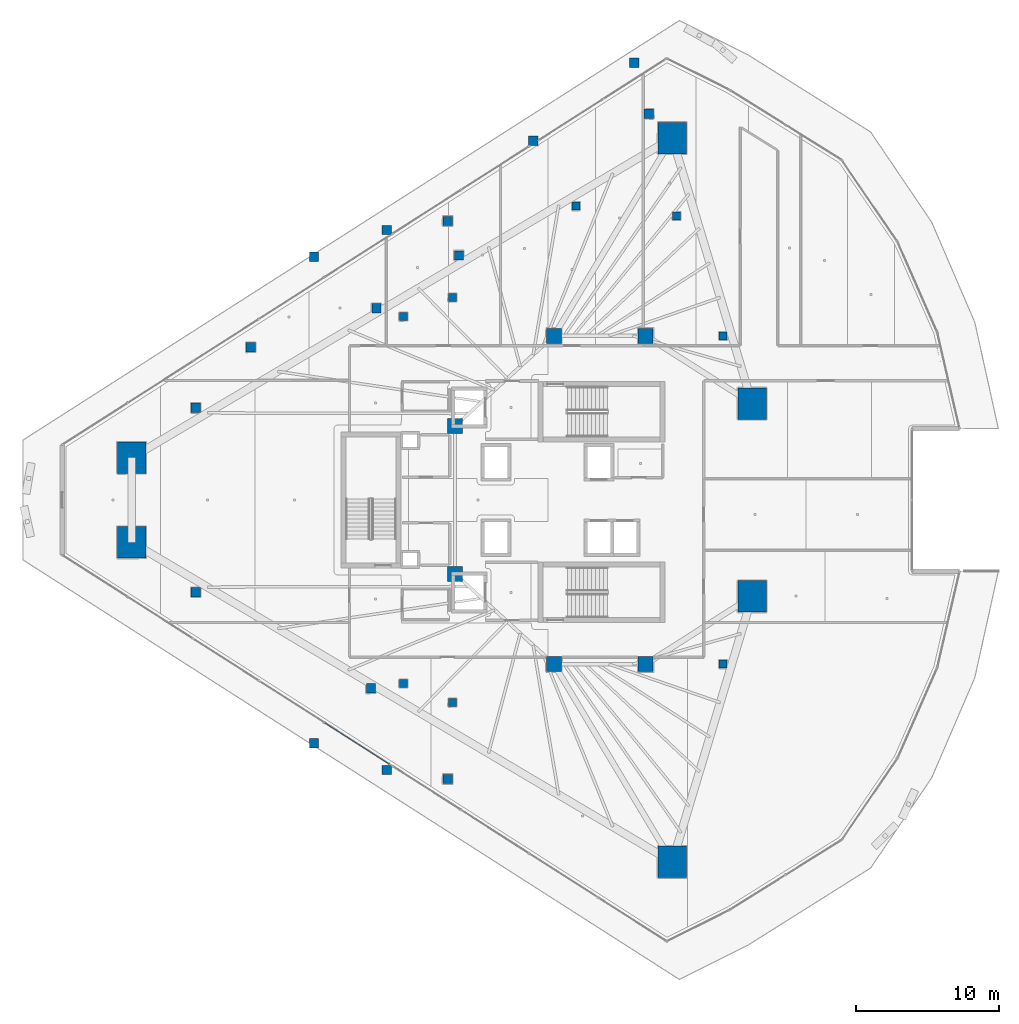
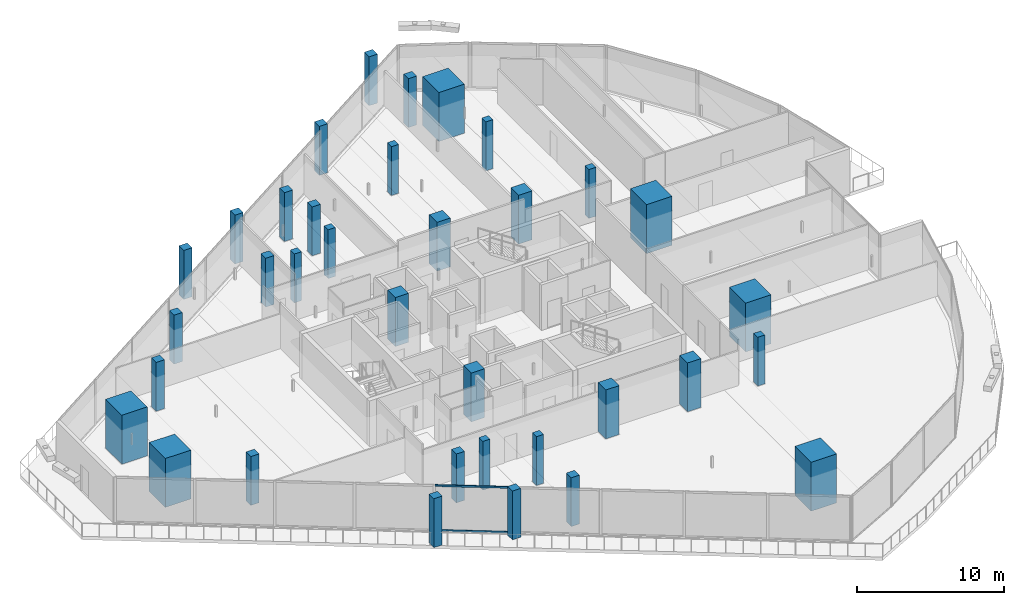
# One storey, part 1 of 42: 35 columns, 2 members, 1 element without a shape of its own.
"""IFC4 building model written with IfcOpenShell, lengths in metres."""

from ifc_helpers import new_model, si_unit, direction, frame, origin, origin_2d, place, context, subcontext, project, spatial, rectangle, hollow_rectangle, extrude, material, layer, layer_set, material_profile, profile_set, type_object, element, aggregate, save


model = new_model("IFC4")

# Units and contexts
model_context = context("Model", 3, precision=1e-05, world=origin(), true_north=direction((0.0, 1.0)))
body_context = subcontext(model_context, "Body", "Model", "MODEL_VIEW")
ifc_project = project(units=[si_unit("LENGTHUNIT", "METRE"), si_unit("AREAUNIT", "SQUARE_METRE"), si_unit("VOLUMEUNIT", "CUBIC_METRE"), si_unit("PLANEANGLEUNIT", "RADIAN"), si_unit("MASSUNIT", "GRAM", prefix="KILO")], contexts=[model_context])

# Site, building, storey
site_placement = place(None, origin())
site = spatial("IfcSite", under=ifc_project, at=site_placement, CompositionType="ELEMENT")
building_placement = place(site_placement, origin())
building = spatial("IfcBuilding", under=site, at=building_placement, Name="Qorvath Tower", CompositionType="ELEMENT")
storey_placement = place(building_placement, frame((0.0, 0.0, 121.949951171875)))
storey = spatial("IfcBuildingStorey", under=building, at=storey_placement, Name="L27", CompositionType="ELEMENT", Elevation=121.949951171875)

# Columns
ifc_material_1 = material(Name="Concrete C70/85", Category="concrete")
ifc_material_profile_1 = material_profile(ifc_material_1, rectangle(XDim=2.0, YDim=2.199951171875, at=origin_2d()), Name="MC 2200x2000")
ifc_profile_set_1 = profile_set([ifc_material_profile_1], Name="Concrete C70/85")
column_type_1 = type_object("IfcColumnType", Name="COL-MC2", PredefinedType="COLUMN", material=ifc_profile_set_1)
for number, where, z_axis, x_axis, name in (
    (1, (-53.04931640625, 2.95068359375, 0.0), (0.0, 0.0, 1.0), (1.0, 0.0, 0.0), "Composite Mega-Column MC1 L27"),
    (2, (-53.04931640625, -2.95068359375, 0.0), (0.0, 0.0, 1.0), (1.0, 0.0, 0.0), "Composite Mega-Column MC2 L27"),
    (3, (-15.34423828125, -25.24609375, 0.0), (0.0, 0.0, 1.0), (1.0, 0.0, 0.0), "Composite Mega-Column MC3 L27"),
    (4, (-9.770263671875, -6.721435546875, 0.0), (0.0, 0.0, 1.0), (1.0, 0.0, 0.0), "Composite Mega-Column MC4 L27"),
    (5, (-9.770263671875, 6.721435546875, 0.0), (0.0, 0.0, 1.0), (1.0, 0.0, 0.0), "Composite Mega-Column MC5 L27"),
    (6, (-15.34423828125, 25.24609375, 0.0), (0.0, 0.0, 1.0), (1.0, 0.0, 0.0), "Composite Mega-Column MC6 L27"),
):
    element("IfcColumn", number, at=place(storey_placement, frame(where, z_axis=z_axis, x_axis=x_axis)), inside=storey, type_object=column_type_1, Name=name, PredefinedType="COLUMN", context=body_context, shape_type="SweptSolid", body=[
        extrude(rectangle(XDim=2.0, YDim=2.199951171875, at=origin_2d()), origin(), (0.0, 0.0, 1.0), 4.050048828125),
    ])
ifc_material_2 = material(Name="Concrete C60/75", Category="concrete")
ifc_material_profile_2 = material_profile(ifc_material_2, rectangle(XDim=1.050048828125, YDim=1.050048828125, at=origin_2d()), Name="RC 1050x1050")
ifc_profile_set_2 = profile_set([ifc_material_profile_2], Name="Concrete C60/75")
column_type_2 = type_object("IfcColumnType", Name="COL-RC2", PredefinedType="COLUMN", material=ifc_profile_set_2)
for number, where, z_axis, x_axis, name in (
    (7, (-23.60009765625, 11.449951171875, 0.0), (0.0, 0.0, 1.0), (1.0, 0.0, 0.0), "Core Spine Column CC1 L27"),
    (8, (-17.199951171875, 11.449951171875, 0.0), (0.0, 0.0, 1.0), (1.0, 0.0, 0.0), "Core Spine Column CC2 L27"),
    (9, (-17.199951171875, -11.449951171875, 0.0), (0.0, 0.0, 1.0), (1.0, 0.0, 0.0), "Core Spine Column CC3 L27"),
    (10, (-23.60009765625, -11.449951171875, 0.0), (0.0, 0.0, 1.0), (1.0, 0.0, 0.0), "Core Spine Column CC4 L27"),
    (11, (-30.5, 5.14990234375, 0.0), (0.0, 0.0, 1.0), (1.0, 0.0, 0.0), "Core Spine Column CC5 L27"),
    (12, (-30.5, -5.14990234375, 0.0), (0.0, 0.0, 1.0), (1.0, 0.0, 0.0), "Core Spine Column CC6 L27"),
):
    element("IfcColumn", number, at=place(storey_placement, frame(where, z_axis=z_axis, x_axis=x_axis)), inside=storey, type_object=column_type_2, Name=name, PredefinedType="COLUMN", context=body_context, shape_type="SweptSolid", body=[
        extrude(rectangle(XDim=1.050048828125, YDim=1.050048828125, at=origin_2d()), origin(), (0.0, 0.0, 1.0), 4.050048828125),
    ])
ifc_material_3 = material(Name="Concrete C45/55", Category="concrete")
ifc_material_profile_3 = material_profile(ifc_material_3, rectangle(XDim=0.64990234375, YDim=0.64990234375, at=origin_2d()), Name="RC 650x650")
ifc_profile_set_3 = profile_set([ifc_material_profile_3], Name="Concrete C45/55")
column_type_3 = type_object("IfcColumnType", Name="COL-RC6", PredefinedType="COLUMN", material=ifc_profile_set_3)
for number, where, z_axis, x_axis, name in (
    (13, (-40.33251953125, 16.955810546875, 0.0), (0.0, 0.0, 1.0), (1.0, 0.0, 0.0), "Loggia Frame Pier Column LGB1 L27"),
    (14, (-40.33251953125, -16.955810546875, 0.0), (0.0, 0.0, 1.0), (1.0, 0.0, 0.0), "Loggia Frame Pier Column LGB2 L27"),
    (15, (-18.0, 30.5, 0.0), (0.0, 0.0, 1.0), (1.0, 0.0, 0.0), "Loggia Frame Pier Column LGB3 L27"),
    (16, (-35.251708984375, 18.829345703125, 0.0), (0.0, 0.0, 1.0), (1.0, 0.0, 0.0), "Loggia Frame Pier Column LGC1 L27"),
    (17, (-35.251708984375, -18.829345703125, 0.0), (0.0, 0.0, 1.0), (1.0, 0.0, 0.0), "Loggia Frame Pier Column LGC2 L27"),
    (18, (-25.03759765625, 25.058837890625, 0.0), (0.0, 0.0, 1.0), (1.0, 0.0, 0.0), "Loggia Frame Pier Column LGC3 L27"),
    (19, (-31.01611328125, 19.46044921875, 0.0), (0.0, 0.0, 1.0), (1.0, 0.0, 0.0), "Loggia Frame Pier Column LGD1 L27"),
    (20, (-31.01611328125, -19.46044921875, 0.0), (0.0, 0.0, 1.0), (1.0, 0.0, 0.0), "Loggia Frame Pier Column LGD2 L27"),
    (21, (-44.736328125, 10.65234375, 0.0), (0.0, 0.0, 1.0), (1.0, 0.0, 0.0), "Loggia Frame Pier Column LGD3 L27"),
    (22, (-48.578369140625, 6.424560546875, 0.0), (0.0, 0.0, 1.0), (1.0, 0.0, 0.0), "Loggia Frame Pier Column LGE1 L27"),
    (23, (-48.578369140625, -6.424560546875, 0.0), (0.0, 0.0, 1.0), (1.0, 0.0, 0.0), "Loggia Frame Pier Column LGE2 L27"),
    (24, (-16.981201171875, 26.92919921875, 0.0), (0.0, 0.0, 1.0), (1.0, 0.0, 0.0), "Loggia Frame Pier Column LGE3 L27"),
    (25, (-35.980712890625, 13.380859375, 0.0), (0.0, 0.0, 1.0), (1.0, 0.0, 0.0), "Loggia Frame Pier Column LGF1 L27"),
    (26, (-36.36474609375, -13.135498046875, 0.0), (0.0, 0.0, 1.0), (1.0, 0.0, 0.0), "Loggia Frame Pier Column LGF2 L27"),
    (27, (-30.224853515625, 17.0595703125, 0.0), (0.0, 0.0, 1.0), (1.0, 0.0, 0.0), "Loggia Frame Pier Column LGF3 L27"),
):
    element("IfcColumn", number, at=place(storey_placement, frame(where, z_axis=z_axis, x_axis=x_axis)), inside=storey, type_object=column_type_3, Name=name, PredefinedType="COLUMN", context=body_context, shape_type="SweptSolid", body=[
        extrude(rectangle(XDim=0.64990234375, YDim=0.64990234375, at=origin_2d()), origin(), (0.0, 0.0, 1.0), 4.050048828125),
    ])
ifc_material_4 = material(Name="Concrete C45/55", Category="concrete")
ifc_material_profile_4 = material_profile(ifc_material_4, rectangle(XDim=0.550048828125, YDim=0.550048828125, at=origin_2d()), Name="RC 550x550")
ifc_profile_set_4 = profile_set([ifc_material_profile_4], Name="Concrete C45/55")
column_type_4 = type_object("IfcColumnType", Name="COL-RC7", PredefinedType="COLUMN", material=ifc_profile_set_4)
for number, where, z_axis, x_axis, name in (
    (28, (-34.104248046875, 12.79248046875, 0.0), (0.0, 0.0, 1.0), (1.0, 0.0, 0.0), "Loggia Frame Pier Column LGG1 L27"),
    (29, (-34.104248046875, -12.79248046875, 0.0), (0.0, 0.0, 1.0), (1.0, 0.0, 0.0), "Loggia Frame Pier Column LGG2 L27"),
    (30, (-22.05322265625, 20.494873046875, 0.0), (0.0, 0.0, 1.0), (1.0, 0.0, 0.0), "Loggia Frame Pier Column LGG3 L27"),
    (31, (-30.67724609375, 14.124267578125, 0.0), (0.0, 0.0, 1.0), (1.0, 0.0, 0.0), "Loggia Frame Pier Column LGH1 L27"),
    (32, (-30.67724609375, -14.124267578125, 0.0), (0.0, 0.0, 1.0), (1.0, 0.0, 0.0), "Loggia Frame Pier Column LGH2 L27"),
    (33, (-15.046142578125, 19.818115234375, 0.0), (0.0, 0.0, 1.0), (1.0, 0.0, 0.0), "Loggia Frame Pier Column LGH3 L27"),
    (34, (-11.800048828125, -11.449951171875, 0.0), (0.0, 0.0, 1.0), (1.0, 0.0, 0.0), "Central Slot Jamb Column SC1 L27"),
    (35, (-11.800048828125, 11.449951171875, 0.0), (0.0, 0.0, 1.0), (1.0, 0.0, 0.0), "Central Slot Jamb Column SC2 L27"),
):
    element("IfcColumn", number, at=place(storey_placement, frame(where, z_axis=z_axis, x_axis=x_axis)), inside=storey, type_object=column_type_4, Name=name, PredefinedType="COLUMN", context=body_context, shape_type="SweptSolid", body=[
        extrude(rectangle(XDim=0.550048828125, YDim=0.550048828125, at=origin_2d()), origin(), (0.0, 0.0, 1.0), 4.050048828125),
    ])

# Curtain wall, members
ifc_material_5 = material(Name="Anodised aluminium and triple low-E glass", Category="aluminium")
ifc_layer = layer(ifc_material_5, 0.179931640625)
ifc_layer_set = layer_set([ifc_layer], Name="CW-SYS-2")
curtain_wall_type = type_object("IfcCurtainWallType", Name="CW-SYS-2", PredefinedType="NOTDEFINED", material=ifc_layer_set)
curtain_wall_placement = place(storey_placement, origin())
curtain_wall = element("IfcCurtainWall", 36, at=curtain_wall_placement, inside=storey, type_object=curtain_wall_type, Name="Curtain Wall CW-2 CW-T-L27-2.1", PredefinedType="NOTDEFINED")
ifc_material_6 = material(Name="Anodised aluminium 6063-T6", Category="aluminium")
ifc_material_profile_5 = material_profile(ifc_material_6, hollow_rectangle(XDim=0.06494140625, YDim=0.159912109375, WallThickness=0.00341796875, InnerFilletRadius=0.00341796875, OuterFilletRadius=0.007080078125, at=origin_2d()), Name="CWT 160x65")
ifc_profile_set_5 = profile_set([ifc_material_profile_5], Name="Anodised aluminium 6063-T6")
member_type = type_object("IfcMemberType", Name="CWT-160", PredefinedType="USERDEFINED", material=ifc_profile_set_5)
member_1_placement = place(storey_placement, frame((-39.57373046875, -15.5546875, 0.032470703125), z_axis=(0.842595771585, -0.53854653068, 0.0), x_axis=(0.53854653068, 0.842595771585, 0.0)))
member_1 = element("IfcMember", 37, at=member_1_placement, type_object=member_type, Name="CW-2 transom 5.1", ObjectType="TRANSOM", PredefinedType="USERDEFINED", context=body_context, shape_type="SweptSolid", body=[
    extrude(hollow_rectangle(XDim=0.06494140625, YDim=0.159912109375, WallThickness=0.00341796875, InnerFilletRadius=0.00341796875, OuterFilletRadius=0.007080078125, at=origin_2d()), origin(), (0.0, 0.0, 1.0), 5.328369140625),
])
member_2_placement = place(storey_placement, frame((-39.57373046875, -15.5546875, 3.737548828125), z_axis=(0.842595771585, -0.53854653068, 0.0), x_axis=(0.53854653068, 0.842595771585, 0.0)))
member_2 = element("IfcMember", 38, at=member_2_placement, type_object=member_type, Name="CW-2 transom 5.2", ObjectType="TRANSOM", PredefinedType="USERDEFINED", context=body_context, shape_type="SweptSolid", body=[
    extrude(hollow_rectangle(XDim=0.06494140625, YDim=0.159912109375, WallThickness=0.00341796875, InnerFilletRadius=0.00341796875, OuterFilletRadius=0.007080078125, at=origin_2d()), origin(), (0.0, 0.0, 1.0), 5.328369140625),
])
aggregate(curtain_wall, [member_1, member_2])

save(model, "model.ifc")
